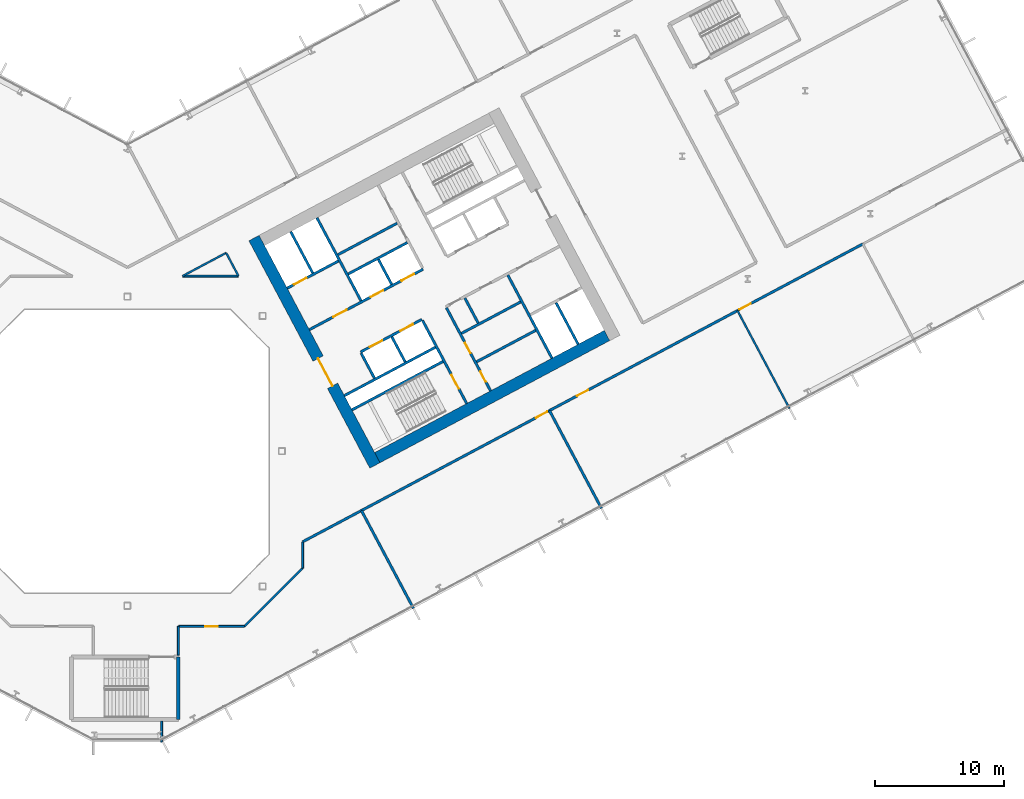
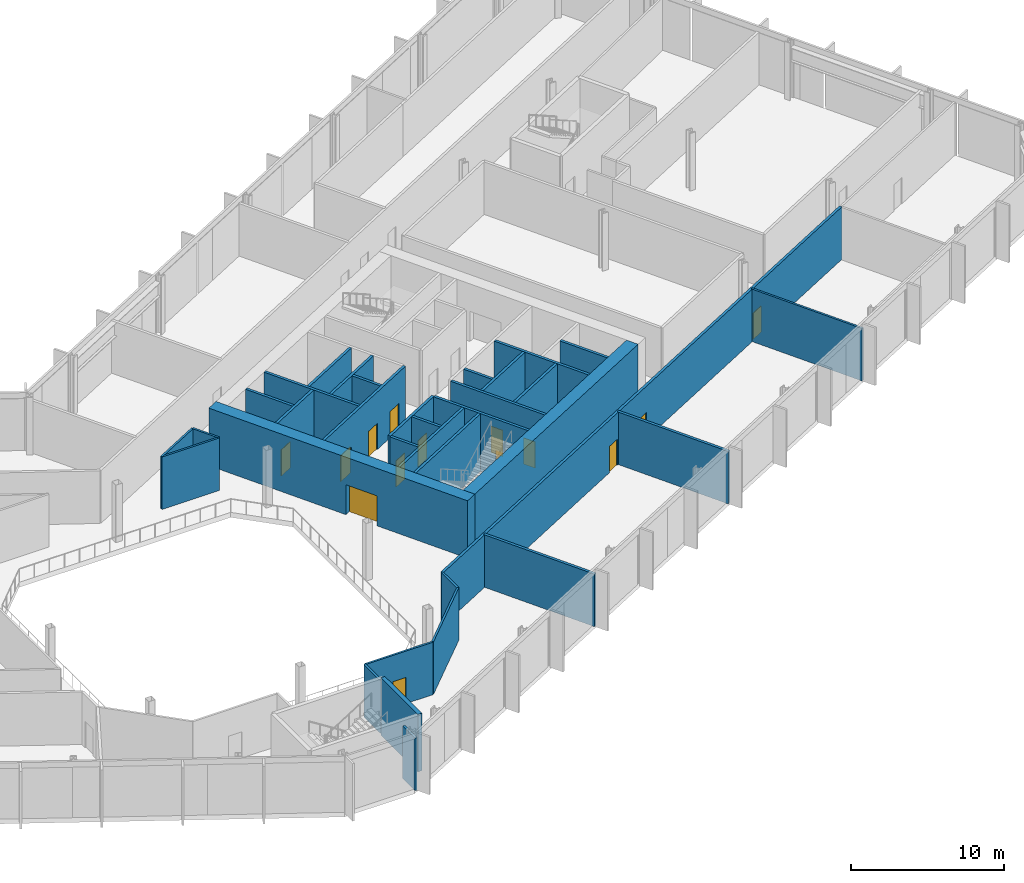
# One storey, part 17 of 31: 34 walls, 14 doors, 14 openings.
"""IFC4 building model written with IfcOpenShell, lengths in metres."""

from ifc_helpers import new_model, si_unit, direction, frame, frame_2d, origin, place, context, subcontext, project, spatial, rectangle, extrude, material, layer, layer_set, type_object, element, fill, save


model = new_model("IFC4")

# Units and contexts
model_context = context("Model", 3, precision=1e-05, world=origin(), true_north=direction((0.0, 1.0)))
body_context = subcontext(model_context, "Body", "Model", "MODEL_VIEW")
ifc_project = project(units=[si_unit("LENGTHUNIT", "METRE"), si_unit("AREAUNIT", "SQUARE_METRE"), si_unit("VOLUMEUNIT", "CUBIC_METRE"), si_unit("PLANEANGLEUNIT", "RADIAN"), si_unit("MASSUNIT", "GRAM", prefix="KILO")], contexts=[model_context])

# Site, building, storey
site_placement = place(None, origin())
site = spatial("IfcSite", under=ifc_project, at=site_placement, CompositionType="ELEMENT")
building_placement = place(site_placement, origin())
building = spatial("IfcBuilding", under=site, at=building_placement, Name="Cormorant Relay Tower", CompositionType="ELEMENT")
storey_placement = place(building_placement, frame((0.0, 0.0, 103.0)))
storey = spatial("IfcBuildingStorey", under=building, at=storey_placement, Name="L20", CompositionType="ELEMENT", Elevation=103.0)

# Walls
ifc_material_1 = material(Name="Concrete 40 MPa", Category="concrete")
ifc_layer_1 = layer(ifc_material_1, 0.199951171875)
ifc_layer_set_1 = layer_set([ifc_layer_1], Name="Core internal wall 200")
wall_type_1 = type_object("IfcWallType", Name="Core internal wall 200", PredefinedType="SOLIDWALL", material=ifc_layer_set_1)
for number, where, z_axis, x_axis, name in (
    (1, (21.567626953125, 6.9375, 0.0), (0.0, 0.0, 1.0), (-0.469533832133, 0.882914480843, 0.0), "L20 core B shaft and room wall"),
    (2, (20.522216796875, 12.950439453125, 0.0), (0.0, 0.0, 1.0), (-0.469401318492, 0.882984938828, 0.0), "L20 core B shaft and room wall"),
    (3, (27.236083984375, 9.951416015625, 0.0), (0.0, 0.0, 1.0), (-0.4694473164, 0.882960484464, 0.0), "L20 core B shaft and room wall"),
):
    element("IfcWall", number, at=place(storey_placement, frame(where, z_axis=z_axis, x_axis=x_axis)), inside=storey, type_object=wall_type_1, Name=name, PredefinedType="SOLIDWALL", context=body_context, shape_type="SweptSolid", body=[
        extrude(rectangle(XDim=2.199951171875, YDim=0.199951171875, at=frame_2d((1.10009765625, 0.0))), origin(), (0.0, 0.0, 1.0), 4.60009765625),
    ])
for number, where, z_axis, x_axis, name in (
    (4, (27.11474609375, 6.942138671875, 0.0), (0.0, 0.0, 1.0), (0.882934506056, 0.469496174655, 0.0), "L20 core B shaft and room wall"),
    (5, (16.3486328125, 15.26171875, 0.0), (0.0, 0.0, 1.0), (0.882953967957, 0.469459572775, 0.0), "L20 core B shaft and room wall"),
):
    element("IfcWall", number, at=place(storey_placement, frame(where, z_axis=z_axis, x_axis=x_axis)), inside=storey, type_object=wall_type_1, Name=name, PredefinedType="SOLIDWALL", context=body_context, shape_type="SweptSolid", body=[
        extrude(rectangle(XDim=5.199951171875, YDim=0.199951171875, at=frame_2d((2.60009765625, 0.0))), origin(), (0.0, 0.0, 1.0), 4.60009765625),
    ])
ifc_material_2 = material(Name="Concrete 50 MPa", Category="concrete")
ifc_layer_2 = layer(ifc_material_2, 0.199951171875)
ifc_layer_set_2 = layer_set([ifc_layer_2], Name="Core shaft wall 200")
wall_type_2 = type_object("IfcWallType", Name="Core shaft wall 200", PredefinedType="SHEAR", material=ifc_layer_set_2)
wall_1_placement = place(storey_placement, frame((14.39404296875, 13.825927734375, 0.0), z_axis=(0.0, 0.0, 1.0), x_axis=(-0.469494272526, 0.882935517501, 0.0)))
element("IfcWall", 6, at=wall_1_placement, inside=storey, type_object=wall_type_2, Name="L20 core B shaft wall", PredefinedType="SHEAR", context=body_context, shape_type="SweptSolid", body=[
    extrude(rectangle(XDim=3.64990234375, YDim=0.199951171875, at=frame_2d((1.824951171875, 0.0))), origin(), (0.0, 0.0, 1.0), 4.60009765625),
])
wall_2_placement = place(storey_placement, frame((19.18359375, 5.669921875, 0.0), z_axis=(0.0, 0.0, 1.0), x_axis=(-0.4694473164, 0.882960484464, 0.0)))
element("IfcWall", 7, at=wall_2_placement, inside=storey, type_object=wall_type_2, Name="L20 core B shaft wall", PredefinedType="SHEAR", context=body_context, shape_type="SweptSolid", body=[
    extrude(rectangle(XDim=2.199951171875, YDim=0.199951171875, at=frame_2d((1.10009765625, 0.0))), origin(), (0.0, 0.0, 1.0), 4.60009765625),
])
wall_3_placement = place(storey_placement, frame((18.138427734375, 11.682861328125, 0.0), z_axis=(0.0, 0.0, 1.0), x_axis=(-0.469480409012, 0.88294288918, 0.0)))
element("IfcWall", 8, at=wall_3_placement, inside=storey, type_object=wall_type_2, Name="L20 core B shaft wall", PredefinedType="SHEAR", context=body_context, shape_type="SweptSolid", body=[
    extrude(rectangle(XDim=7.300048828125, YDim=0.199951171875, at=frame_2d((3.64990234375, 0.0))), origin(), (0.0, 0.0, 1.0), 4.60009765625),
])

# Wall, opening, door
wall_4_placement = place(storey_placement, frame((26.345947265625, 3.701904296875, 0.0), z_axis=(0.0, 0.0, 1.0), x_axis=(-0.469480409012, 0.88294288918, 0.0)))
wall_4 = element("IfcWall", 9, at=wall_4_placement, inside=storey, type_object=wall_type_2, Name="L20 core B shaft wall", PredefinedType="SHEAR", context=body_context, shape_type="SweptSolid", body=[
    extrude(rectangle(XDim=7.300048828125, YDim=0.199951171875, at=frame_2d((3.64990234375, 0.0))), origin(), (0.0, 0.0, 1.0), 4.60009765625),
])
opening_1_placement = place(wall_4_placement, frame((1.300048828125, 0.0, 0.0)))
opening_1 = element("IfcOpeningElement", 10, at=opening_1_placement, cuts=wall_4, Name="Opening CDB-026", PredefinedType="OPENING", context=body_context, shape_type="SweptSolid", body=[
    extrude(rectangle(XDim=1.199951171875, YDim=2.10009765625, at=frame_2d((0.60009765625, 1.050048828125))), frame((0.0, 0.10986328125, 0.0), z_axis=(0.0, -1.0, 0.0), x_axis=(1.0, 0.0, 0.0)), (0.0, 0.0, 1.0), 0.219970703125),
])
ifc_material_3 = material(Name="Steel fire door", Category="steel")
door_type_1 = type_object("IfcDoorType", Name="Core stair door 1200x2100", OperationType="SINGLE_SWING_LEFT", PredefinedType="DOOR", material=ifc_material_3)
door_1_placement = place(opening_1_placement, origin())
door_1 = element("IfcDoor", 11, at=door_1_placement, inside=storey, type_object=door_type_1, Name="Core stair door 1200x2100", OperationType="SINGLE_SWING_RIGHT", OverallHeight=2.10009765625, OverallWidth=1.199951171875, PredefinedType="DOOR", context=body_context, shape_type="SweptSolid", body=[
    extrude(rectangle(XDim=1.199951171875, YDim=2.10009765625, at=frame_2d((0.60009765625, 1.050048828125))), frame((0.0, 0.02490234375, 0.0), z_axis=(0.0, -1.0, 0.0), x_axis=(1.0, 0.0, 0.0)), (0.0, 0.0, 1.0), 0.050048828125),
])
fill(opening_1, door_1)

# Wall, openings, doors
wall_5_placement = place(storey_placement, frame((28.199951171875, 4.687744140625, 0.0), z_axis=(0.0, 0.0, 1.0), x_axis=(-0.469454336211, 0.882956752176, 0.0)))
wall_5 = element("IfcWall", 12, at=wall_5_placement, inside=storey, type_object=wall_type_2, Name="L20 core B shaft wall", PredefinedType="SHEAR", context=body_context, shape_type="SweptSolid", body=[
    extrude(rectangle(XDim=7.300048828125, YDim=0.199951171875, at=frame_2d((3.64990234375, 0.0))), origin(), (0.0, 0.0, 1.0), 4.60009765625),
])
opening_2_placement = place(wall_5_placement, frame((0.800048828125, 0.0, 0.0)))
opening_2 = element("IfcOpeningElement", 13, at=opening_2_placement, cuts=wall_5, Name="Opening CDD-124", PredefinedType="OPENING", context=body_context, shape_type="SweptSolid", body=[
    extrude(rectangle(XDim=0.89990234375, YDim=2.10009765625, at=frame_2d((0.449951171875, 1.050048828125))), frame((0.0, 0.10986328125, 0.0), z_axis=(0.0, -1.0, 0.0), x_axis=(1.0, 0.0, 0.0)), (0.0, 0.0, 1.0), 0.219970703125),
])
opening_3_placement = place(wall_5_placement, frame((3.300048828125, 0.0, 0.0)))
opening_3 = element("IfcOpeningElement", 14, at=opening_3_placement, cuts=wall_5, Name="Opening CDD-125", PredefinedType="OPENING", context=body_context, shape_type="SweptSolid", body=[
    extrude(rectangle(XDim=0.89990234375, YDim=2.10009765625, at=frame_2d((0.449951171875, 1.050048828125))), frame((0.0, 0.10986328125, 0.0), z_axis=(0.0, -1.0, 0.0), x_axis=(1.0, 0.0, 0.0)), (0.0, 0.0, 1.0), 0.219970703125),
])
ifc_material_4 = material(Name="Steel fire door", Category="steel")
door_type_2 = type_object("IfcDoorType", Name="Core room door 900x2100", OperationType="SINGLE_SWING_LEFT", PredefinedType="DOOR", material=ifc_material_4)
door_2_placement = place(opening_2_placement, frame((0.89990234375, 0.0, 0.0), z_axis=(0.0, 0.0, 1.0), x_axis=(-1.0, 0.0, 0.0)))
door_2 = element("IfcDoor", 15, at=door_2_placement, inside=storey, type_object=door_type_2, Name="Core room door 900x2100", OperationType="SINGLE_SWING_LEFT", OverallHeight=2.10009765625, OverallWidth=0.89990234375, PredefinedType="DOOR", context=body_context, shape_type="SweptSolid", body=[
    extrude(rectangle(XDim=0.89990234375, YDim=2.10009765625, at=frame_2d((0.449951171875, 1.050048828125))), frame((0.0, 0.02490234375, 0.0), z_axis=(0.0, -1.0, 0.0), x_axis=(1.0, 0.0, 0.0)), (0.0, 0.0, 1.0), 0.050048828125),
])
fill(opening_2, door_2)
door_3_placement = place(opening_3_placement, frame((0.89990234375, 0.0, 0.0), z_axis=(0.0, 0.0, 1.0), x_axis=(-1.0, 0.0, 0.0)))
door_3 = element("IfcDoor", 16, at=door_3_placement, inside=storey, type_object=door_type_2, Name="Core room door 900x2100", OperationType="SINGLE_SWING_LEFT", OverallHeight=2.10009765625, OverallWidth=0.89990234375, PredefinedType="DOOR", context=body_context, shape_type="SweptSolid", body=[
    extrude(rectangle(XDim=0.89990234375, YDim=2.10009765625, at=frame_2d((0.449951171875, 1.050048828125))), frame((0.0, 0.02490234375, 0.0), z_axis=(0.0, -1.0, 0.0), x_axis=(1.0, 0.0, 0.0)), (0.0, 0.0, 1.0), 0.050048828125),
])
fill(opening_3, door_3)

# Walls
wall_6_placement = place(storey_placement, frame((32.968017578125, 7.222900390625, 0.0), z_axis=(0.0, 0.0, 1.0), x_axis=(-0.469480409012, 0.88294288918, 0.0)))
element("IfcWall", 17, at=wall_6_placement, inside=storey, type_object=wall_type_2, Name="L20 core B shaft wall", PredefinedType="SHEAR", context=body_context, shape_type="SweptSolid", body=[
    extrude(rectangle(XDim=7.300048828125, YDim=0.199951171875, at=frame_2d((3.64990234375, 0.0))), origin(), (0.0, 0.0, 1.0), 4.60009765625),
])
wall_7_placement = place(storey_placement, frame((34.998779296875, 8.302734375, 0.0), z_axis=(0.0, 0.0, 1.0), x_axis=(-0.4694665462, 0.882950260207, 0.0)))
element("IfcWall", 18, at=wall_7_placement, inside=storey, type_object=wall_type_2, Name="L20 core B shaft wall", PredefinedType="SHEAR", context=body_context, shape_type="SweptSolid", body=[
    extrude(rectangle(XDim=3.650146484375, YDim=0.199951171875, at=frame_2d((1.8251953125, 0.0))), origin(), (0.0, 0.0, 1.0), 4.60009765625),
])
for number, where, z_axis, x_axis, name in (
    (19, (17.43359375, 3.210205078125, 0.0), (0.0, 0.0, 1.0), (0.882940221191, 0.469485426614, 0.0), "L20 core B shaft wall"),
    (20, (16.8466796875, 4.31396484375, 0.0), (0.0, 0.0, 1.0), (0.882940221191, 0.469485426614, 0.0), "L20 core B shaft wall"),
):
    element("IfcWall", number, at=place(storey_placement, frame(where, z_axis=z_axis, x_axis=x_axis)), inside=storey, type_object=wall_type_2, Name=name, PredefinedType="SHEAR", context=body_context, shape_type="SweptSolid", body=[
        extrude(rectangle(XDim=8.0, YDim=0.199951171875, at=frame_2d((4.0, 0.0))), origin(), (0.0, 0.0, 1.0), 4.60009765625),
    ])
wall_8_placement = place(storey_placement, frame((25.94091796875, 9.149658203125, 0.0), z_axis=(0.0, 0.0, 1.0), x_axis=(0.882953967957, 0.469459572775, 0.0)))
element("IfcWall", 21, at=wall_8_placement, inside=storey, type_object=wall_type_2, Name="L20 core B shaft wall", PredefinedType="SHEAR", context=body_context, shape_type="SweptSolid", body=[
    extrude(rectangle(XDim=5.199951171875, YDim=0.199951171875, at=frame_2d((2.60009765625, 0.0))), origin(), (0.0, 0.0, 1.0), 4.60009765625),
])

# Wall, openings, doors
wall_9_placement = place(storey_placement, frame((18.103759765625, 7.70068359375, 0.0), z_axis=(0.0, 0.0, 1.0), x_axis=(0.882952937579, 0.469461510692, 0.0)))
wall_9 = element("IfcWall", 22, at=wall_9_placement, inside=storey, type_object=wall_type_2, Name="L20 core B shaft wall", PredefinedType="SHEAR", context=body_context, shape_type="SweptSolid", body=[
    extrude(rectangle(XDim=5.400146484375, YDim=0.199951171875, at=frame_2d((2.7001953125, 0.0))), origin(), (0.0, 0.0, 1.0), 4.60009765625),
])
opening_4_placement = place(wall_9_placement, frame((0.800048828125, 0.0, 0.0)))
opening_4 = element("IfcOpeningElement", 23, at=opening_4_placement, cuts=wall_9, Name="Opening LD1-032", PredefinedType="OPENING", context=body_context, shape_type="SweptSolid", body=[
    extrude(rectangle(XDim=1.10009765625, YDim=2.10009765625, at=frame_2d((0.550048828125, 1.050048828125))), frame((0.0, 0.10986328125, 0.0), z_axis=(0.0, -1.0, 0.0), x_axis=(1.0, 0.0, 0.0)), (0.0, 0.0, 1.0), 0.219970703125),
])
opening_5_placement = place(wall_9_placement, frame((3.5, 0.0, 0.0)))
opening_5 = element("IfcOpeningElement", 24, at=opening_5_placement, cuts=wall_9, Name="Opening LD1-033", PredefinedType="OPENING", context=body_context, shape_type="SweptSolid", body=[
    extrude(rectangle(XDim=1.10009765625, YDim=2.10009765625, at=frame_2d((0.550048828125, 1.050048828125))), frame((0.0, 0.10986328125, 0.0), z_axis=(0.0, -1.0, 0.0), x_axis=(1.0, 0.0, 0.0)), (0.0, 0.0, 1.0), 0.219970703125),
])
ifc_material_5 = material(Name="Stainless steel 316", Category="steel")
door_type_3 = type_object("IfcDoorType", Name="Lift landing door 1100x2100", OperationType="DOUBLE_DOOR_SLIDING", PredefinedType="DOOR", material=ifc_material_5)
door_4_placement = place(opening_4_placement, origin())
door_4 = element("IfcDoor", 25, at=door_4_placement, inside=storey, type_object=door_type_3, Name="LR5 landing door", OperationType="DOUBLE_DOOR_SLIDING", OverallHeight=2.10009765625, OverallWidth=1.10009765625, PredefinedType="DOOR", context=body_context, shape_type="SweptSolid", body=[
    extrude(rectangle(XDim=1.10009765625, YDim=2.10009765625, at=frame_2d((0.550048828125, 1.050048828125))), frame((0.0, 0.02490234375, 0.0), z_axis=(0.0, -1.0, 0.0), x_axis=(1.0, 0.0, 0.0)), (0.0, 0.0, 1.0), 0.050048828125),
])
fill(opening_4, door_4)
door_5_placement = place(opening_5_placement, origin())
door_5 = element("IfcDoor", 26, at=door_5_placement, inside=storey, type_object=door_type_3, Name="LR6 landing door", OperationType="DOUBLE_DOOR_SLIDING", OverallHeight=2.10009765625, OverallWidth=1.10009765625, PredefinedType="DOOR", context=body_context, shape_type="SweptSolid", body=[
    extrude(rectangle(XDim=1.10009765625, YDim=2.10009765625, at=frame_2d((0.550048828125, 1.050048828125))), frame((0.0, 0.02490234375, 0.0), z_axis=(0.0, -1.0, 0.0), x_axis=(1.0, 0.0, 0.0)), (0.0, 0.0, 1.0), 0.050048828125),
])
fill(opening_5, door_5)

wall_10_placement = place(storey_placement, frame((14.123779296875, 9.43505859375, 0.0), z_axis=(0.0, 0.0, 1.0), x_axis=(0.882940221191, 0.469485426614, 0.0)))
wall_10 = element("IfcWall", 27, at=wall_10_placement, inside=storey, type_object=wall_type_2, Name="L20 core B shaft wall", PredefinedType="SHEAR", context=body_context, shape_type="SweptSolid", body=[
    extrude(rectangle(XDim=10.0, YDim=0.199951171875, at=frame_2d((5.0, 0.0))), origin(), (0.0, 0.0, 1.0), 4.60009765625),
])
opening_6_placement = place(wall_10_placement, frame((2.10009765625, 0.0, 0.0)))
opening_6 = element("IfcOpeningElement", 28, at=opening_6_placement, cuts=wall_10, Name="Opening CDC-019", PredefinedType="OPENING", context=body_context, shape_type="SweptSolid", body=[
    extrude(rectangle(XDim=1.199951171875, YDim=2.10009765625, at=frame_2d((0.60009765625, 1.050048828125))), frame((0.0, 0.10986328125, 0.0), z_axis=(0.0, -1.0, 0.0), x_axis=(1.0, 0.0, 0.0)), (0.0, 0.0, 1.0), 0.219970703125),
])
opening_7_placement = place(wall_10_placement, frame((5.39990234375, 0.0, 0.0)))
opening_7 = element("IfcOpeningElement", 29, at=opening_7_placement, cuts=wall_10, Name="Opening LD1-028", PredefinedType="OPENING", context=body_context, shape_type="SweptSolid", body=[
    extrude(rectangle(XDim=1.10009765625, YDim=2.10009765625, at=frame_2d((0.550048828125, 1.050048828125))), frame((0.0, 0.10986328125, 0.0), z_axis=(0.0, -1.0, 0.0), x_axis=(1.0, 0.0, 0.0)), (0.0, 0.0, 1.0), 0.219970703125),
])
opening_8_placement = place(wall_10_placement, frame((8.10009765625, 0.0, 0.0)))
opening_8 = element("IfcOpeningElement", 30, at=opening_8_placement, cuts=wall_10, Name="Opening LD1-029", PredefinedType="OPENING", context=body_context, shape_type="SweptSolid", body=[
    extrude(rectangle(XDim=1.10009765625, YDim=2.10009765625, at=frame_2d((0.550048828125, 1.050048828125))), frame((0.0, 0.10986328125, 0.0), z_axis=(0.0, -1.0, 0.0), x_axis=(1.0, 0.0, 0.0)), (0.0, 0.0, 1.0), 0.219970703125),
])
ifc_material_6 = material(Name="Steel fire door", Category="steel")
door_type_4 = type_object("IfcDoorType", Name="Core lobby door 1200x2100", OperationType="SINGLE_SWING_LEFT", PredefinedType="DOOR", material=ifc_material_6)
door_6_placement = place(opening_6_placement, origin())
door_6 = element("IfcDoor", 31, at=door_6_placement, inside=storey, type_object=door_type_4, Name="Core lobby door 1200x2100", OperationType="SINGLE_SWING_RIGHT", OverallHeight=2.10009765625, OverallWidth=1.199951171875, PredefinedType="DOOR", context=body_context, shape_type="SweptSolid", body=[
    extrude(rectangle(XDim=1.199951171875, YDim=2.10009765625, at=frame_2d((0.60009765625, 1.050048828125))), frame((0.0, 0.02490234375, 0.0), z_axis=(0.0, -1.0, 0.0), x_axis=(1.0, 0.0, 0.0)), (0.0, 0.0, 1.0), 0.050048828125),
])
fill(opening_6, door_6)
door_7_placement = place(opening_7_placement, origin())
door_7 = element("IfcDoor", 32, at=door_7_placement, inside=storey, type_object=door_type_3, Name="LR1 landing door", OperationType="DOUBLE_DOOR_SLIDING", OverallHeight=2.10009765625, OverallWidth=1.10009765625, PredefinedType="DOOR", context=body_context, shape_type="SweptSolid", body=[
    extrude(rectangle(XDim=1.10009765625, YDim=2.10009765625, at=frame_2d((0.550048828125, 1.050048828125))), frame((0.0, 0.02490234375, 0.0), z_axis=(0.0, -1.0, 0.0), x_axis=(1.0, 0.0, 0.0)), (0.0, 0.0, 1.0), 0.050048828125),
])
fill(opening_7, door_7)
door_8_placement = place(opening_8_placement, origin())
door_8 = element("IfcDoor", 33, at=door_8_placement, inside=storey, type_object=door_type_3, Name="LR2 landing door", OperationType="DOUBLE_DOOR_SLIDING", OverallHeight=2.10009765625, OverallWidth=1.10009765625, PredefinedType="DOOR", context=body_context, shape_type="SweptSolid", body=[
    extrude(rectangle(XDim=1.10009765625, YDim=2.10009765625, at=frame_2d((0.550048828125, 1.050048828125))), frame((0.0, 0.02490234375, 0.0), z_axis=(0.0, -1.0, 0.0), x_axis=(1.0, 0.0, 0.0)), (0.0, 0.0, 1.0), 0.050048828125),
])
fill(opening_8, door_8)

# Wall
wall_11_placement = place(storey_placement, frame((17.146728515625, 13.7607421875, 0.0), z_axis=(0.0, 0.0, 1.0), x_axis=(0.882964314875, 0.469440111896, 0.0)))
element("IfcWall", 34, at=wall_11_placement, inside=storey, type_object=wall_type_2, Name="L20 core B shaft wall", PredefinedType="SHEAR", context=body_context, shape_type="SweptSolid", body=[
    extrude(rectangle(XDim=5.2001953125, YDim=0.199951171875, at=frame_2d((2.60009765625, 0.0))), origin(), (0.0, 0.0, 1.0), 4.60009765625),
])

# Wall, opening, door
wall_12_placement = place(storey_placement, frame((12.41015625, 12.657958984375, 0.0), z_axis=(0.0, 0.0, 1.0), x_axis=(0.8829484765, 0.469469900894, 0.0)))
wall_12 = element("IfcWall", 35, at=wall_12_placement, inside=storey, type_object=wall_type_2, Name="L20 core B shaft wall", PredefinedType="SHEAR", context=body_context, shape_type="SweptSolid", body=[
    extrude(rectangle(XDim=4.499755859375, YDim=0.199951171875, at=frame_2d((2.25, 0.0))), origin(), (0.0, 0.0, 1.0), 4.60009765625),
])
opening_9_placement = place(wall_12_placement, frame((0.60009765625, 0.0, 0.0)))
opening_9 = element("IfcOpeningElement", 36, at=opening_9_placement, cuts=wall_12, Name="Opening LD1-034", PredefinedType="OPENING", context=body_context, shape_type="SweptSolid", body=[
    extrude(rectangle(XDim=1.10009765625, YDim=2.10009765625, at=frame_2d((0.550048828125, 1.050048828125))), frame((0.0, 0.10986328125, 0.0), z_axis=(0.0, -1.0, 0.0), x_axis=(1.0, 0.0, 0.0)), (0.0, 0.0, 1.0), 0.219970703125),
])
door_9_placement = place(opening_9_placement, origin())
door_9 = element("IfcDoor", 37, at=door_9_placement, inside=storey, type_object=door_type_3, Name="FF2 landing door", OperationType="DOUBLE_DOOR_SLIDING", OverallHeight=2.10009765625, OverallWidth=1.10009765625, PredefinedType="DOOR", context=body_context, shape_type="SweptSolid", body=[
    extrude(rectangle(XDim=1.10009765625, YDim=2.10009765625, at=frame_2d((0.550048828125, 1.050048828125))), frame((0.0, 0.02490234375, 0.0), z_axis=(0.0, -1.0, 0.0), x_axis=(1.0, 0.0, 0.0)), (0.0, 0.0, 1.0), 0.050048828125),
])
fill(opening_9, door_9)

ifc_material_7 = material(Name="Concrete 70 MPa", Category="concrete")
ifc_layer_3 = layer(ifc_material_7, 0.89990234375)
ifc_layer_set_3 = layer_set([ifc_layer_3], Name="Core wall 900")
wall_type_3 = type_object("IfcWallType", Name="Core wall 900", PredefinedType="SHEAR", material=ifc_layer_set_3)
wall_13_placement = place(storey_placement, frame((19.21923828125, -1.106689453125, 0.0), z_axis=(0.0, 0.0, 1.0), x_axis=(-0.46947084998, 0.882947971864, 0.0)))
wall_13 = element("IfcWall", 38, at=wall_13_placement, inside=storey, type_object=wall_type_3, Name="L20 core B wall", PredefinedType="SHEAR", context=body_context, shape_type="SweptSolid", body=[
    extrude(rectangle(XDim=20.0, YDim=0.89990234375, at=frame_2d((10.0, 0.0))), origin(), (0.0, 0.0, 1.0), 4.60009765625),
])
opening_10_placement = place(wall_13_placement, frame((7.0, 0.0, 0.0)))
opening_10 = element("IfcOpeningElement", 39, at=opening_10_placement, cuts=wall_13, Name="Opening CDA-019", PredefinedType="OPENING", context=body_context, shape_type="SweptSolid", body=[
    extrude(rectangle(XDim=2.39990234375, YDim=2.39990234375, at=frame_2d((1.199951171875, 1.199951171875))), frame((0.0, 0.4599609375, 0.0), z_axis=(0.0, -1.0, 0.0), x_axis=(1.0, 0.0, 0.0)), (0.0, 0.0, 1.0), 0.919921875),
])
ifc_material_8 = material(Name="Steel fire door", Category="steel")
door_type_5 = type_object("IfcDoorType", Name="Core lobby door 2400x2400", OperationType="DOUBLE_DOOR_SINGLE_SWING", PredefinedType="DOOR", material=ifc_material_8)
door_10_placement = place(opening_10_placement, frame((2.39990234375, 0.0, 0.0), z_axis=(0.0, 0.0, 1.0), x_axis=(-1.0, 0.0, 0.0)))
door_10 = element("IfcDoor", 40, at=door_10_placement, inside=storey, type_object=door_type_5, Name="Core lobby door 2400x2400", OperationType="DOUBLE_DOOR_SINGLE_SWING", OverallHeight=2.39990234375, OverallWidth=2.39990234375, PredefinedType="DOOR", context=body_context, shape_type="SweptSolid", body=[
    extrude(rectangle(XDim=2.39990234375, YDim=2.39990234375, at=frame_2d((1.199951171875, 1.199951171875))), frame((0.0, 0.02490234375, 0.0), z_axis=(0.0, -1.0, 0.0), x_axis=(1.0, 0.0, 0.0)), (0.0, 0.0, 1.0), 0.050048828125),
])
fill(opening_10, door_10)

# Walls
wall_14_placement = place(storey_placement, frame((19.4052734375, -0.498046875, 0.0), z_axis=(0.0, 0.0, 1.0), x_axis=(0.88294509198, 0.469476266226, 0.0)))
element("IfcWall", 41, at=wall_14_placement, inside=storey, type_object=wall_type_3, Name="L20 core B wall", PredefinedType="SHEAR", context=body_context, shape_type="SweptSolid", body=[
    extrude(rectangle(XDim=20.199951171875, YDim=0.89990234375, at=frame_2d((10.10009765625, 0.0))), origin(), (0.0, 0.0, 1.0), 4.60009765625),
])
ifc_material_9 = material(Name="Fire-rated gypsum board partition")
ifc_layer_4 = layer(ifc_material_9, 0.199951171875)
ifc_layer_set_4 = layer_set([ifc_layer_4], Name="Fire-rated gypsum partition 200")
wall_type_4 = type_object("IfcWallType", Name="Fire-rated gypsum partition 200", PredefinedType="PARTITIONING", material=ifc_layer_set_4)
wall_15_placement = place(storey_placement, frame((18.172119140625, -4.60791015625, 0.0), z_axis=(0.0, 0.0, 1.0), x_axis=(0.469386979633, -0.882992561323, 0.0)))
element("IfcWall", 42, at=wall_15_placement, inside=storey, type_object=wall_type_4, Name="wall/L20/part/33", PredefinedType="PARTITIONING", context=body_context, shape_type="SweptSolid", body=[
    extrude(rectangle(XDim=8.600341796875, YDim=0.199951171875, at=frame_2d((4.30029296875, 0.0))), origin(), (0.0, 0.0, 1.0), 4.199951171875),
])

# Wall, openings, doors
wall_16_placement = place(storey_placement, frame((57.10498046875, 16.093017578125, 0.0), z_axis=(0.0, 0.0, 1.0), x_axis=(-0.882946553343, -0.469473517827, 0.0)))
wall_16 = element("IfcWall", 43, at=wall_16_placement, inside=storey, type_object=wall_type_4, Name="wall/L20/part/34", PredefinedType="PARTITIONING", context=body_context, shape_type="SweptSolid", body=[
    extrude(rectangle(XDim=49.2724609375, YDim=0.199951171875, at=frame_2d((24.63623046875, 0.0))), origin(), (0.0, 0.0, 1.0), 4.199951171875),
])
opening_11_placement = place(wall_16_placement, frame((27.75, 0.0, 0.0)))
opening_11 = element("IfcOpeningElement", 44, at=opening_11_placement, cuts=wall_16, Name="Opening FD1-103", PredefinedType="OPENING", context=body_context, shape_type="SweptSolid", body=[
    extrude(rectangle(XDim=1.0, YDim=2.10009765625, at=frame_2d((0.5, 1.050048828125))), frame((0.0, 0.10986328125, 0.0), z_axis=(0.0, -1.0, 0.0), x_axis=(1.0, 0.0, 0.0)), (0.0, 0.0, 1.0), 0.219970703125),
])
opening_12_placement = place(wall_16_placement, frame((24.14990234375, 0.0, 0.0)))
opening_12 = element("IfcOpeningElement", 45, at=opening_12_placement, cuts=wall_16, Name="Opening FD1-104", PredefinedType="OPENING", context=body_context, shape_type="SweptSolid", body=[
    extrude(rectangle(XDim=1.0, YDim=2.10009765625, at=frame_2d((0.5, 1.050048828125))), frame((0.0, 0.10986328125, 0.0), z_axis=(0.0, -1.0, 0.0), x_axis=(1.0, 0.0, 0.0)), (0.0, 0.0, 1.0), 0.219970703125),
])
opening_13_placement = place(wall_16_placement, frame((9.85009765625, 0.0, 0.0)))
opening_13 = element("IfcOpeningElement", 46, at=opening_13_placement, cuts=wall_16, Name="Opening FD1-105", PredefinedType="OPENING", context=body_context, shape_type="SweptSolid", body=[
    extrude(rectangle(XDim=1.0, YDim=2.10009765625, at=frame_2d((0.5, 1.050048828125))), frame((0.0, 0.10986328125, 0.0), z_axis=(0.0, -1.0, 0.0), x_axis=(1.0, 0.0, 0.0)), (0.0, 0.0, 1.0), 0.219970703125),
])
ifc_material_10 = material(Name="Fire-rated steel door", Category="steel")
door_type_6 = type_object("IfcDoorType", Name="Fire door 1000 x 2100", OperationType="SINGLE_SWING_LEFT", PredefinedType="DOOR", material=ifc_material_10)
door_11_placement = place(opening_11_placement, origin())
door_11 = element("IfcDoor", 47, at=door_11_placement, inside=storey, type_object=door_type_6, Name="door/L20/13", OperationType="SINGLE_SWING_LEFT", OverallHeight=2.10009765625, OverallWidth=1.0, PredefinedType="DOOR", context=body_context, shape_type="SweptSolid", body=[
    extrude(rectangle(XDim=1.0, YDim=2.10009765625, at=frame_2d((0.5, 1.050048828125))), frame((0.0, 0.02490234375, 0.0), z_axis=(0.0, -1.0, 0.0), x_axis=(1.0, 0.0, 0.0)), (0.0, 0.0, 1.0), 0.050048828125),
])
fill(opening_11, door_11)
door_12_placement = place(opening_12_placement, origin())
door_12 = element("IfcDoor", 48, at=door_12_placement, inside=storey, type_object=door_type_6, Name="door/L20/14", OperationType="SINGLE_SWING_RIGHT", OverallHeight=2.10009765625, OverallWidth=1.0, PredefinedType="DOOR", context=body_context, shape_type="SweptSolid", body=[
    extrude(rectangle(XDim=1.0, YDim=2.10009765625, at=frame_2d((0.5, 1.050048828125))), frame((0.0, 0.02490234375, 0.0), z_axis=(0.0, -1.0, 0.0), x_axis=(1.0, 0.0, 0.0)), (0.0, 0.0, 1.0), 0.050048828125),
])
fill(opening_12, door_12)
door_13_placement = place(opening_13_placement, origin())
door_13 = element("IfcDoor", 49, at=door_13_placement, inside=storey, type_object=door_type_6, Name="door/L20/15", OperationType="SINGLE_SWING_RIGHT", OverallHeight=2.10009765625, OverallWidth=1.0, PredefinedType="DOOR", context=body_context, shape_type="SweptSolid", body=[
    extrude(rectangle(XDim=1.0, YDim=2.10009765625, at=frame_2d((0.5, 1.050048828125))), frame((0.0, 0.02490234375, 0.0), z_axis=(0.0, -1.0, 0.0), x_axis=(1.0, 0.0, 0.0)), (0.0, 0.0, 1.0), 0.050048828125),
])
fill(opening_13, door_13)

# Walls
wall_17_placement = place(storey_placement, frame((36.80908203125, -4.43896484375, 0.0), z_axis=(0.0, 0.0, 1.0), x_axis=(-0.469409112223, 0.882980795579, 0.0)))
element("IfcWall", 50, at=wall_17_placement, inside=storey, type_object=wall_type_4, Name="wall/L20/part/37", PredefinedType="PARTITIONING", context=body_context, shape_type="SweptSolid", body=[
    extrude(rectangle(XDim=8.600341796875, YDim=0.199951171875, at=frame_2d((4.30029296875, 0.0))), origin(), (0.0, 0.0, 1.0), 4.199951171875),
])
ifc_material_11 = material(Name="Gypsum board partition")
ifc_layer_5 = layer(ifc_material_11, 0.14990234375)
ifc_layer_set_5 = layer_set([ifc_layer_5], Name="Gypsum board partition 150")
wall_type_5 = type_object("IfcWallType", Name="Gypsum board partition 150", PredefinedType="PARTITIONING", material=ifc_layer_set_5)
wall_18_placement = place(storey_placement, frame((2.64892578125, -22.58203125, 0.0), z_axis=(0.0, 0.0, 1.0), x_axis=(0.0, 1.0, 0.0)))
element("IfcWall", 51, at=wall_18_placement, inside=storey, type_object=wall_type_5, Name="wall/L20/part/27", PredefinedType="PARTITIONING", context=body_context, shape_type="SweptSolid", body=[
    extrude(rectangle(XDim=1.6220703125, YDim=0.14990234375, at=frame_2d((0.81103515625, 0.0))), origin(), (0.0, 0.0, 1.0), 4.199951171875),
])
wall_19_placement = place(storey_placement, frame((3.949951171875, -13.60009765625, 0.0), z_axis=(0.0, 0.0, 1.0), x_axis=(0.0, -1.0, 0.0)))
element("IfcWall", 52, at=wall_19_placement, inside=storey, type_object=wall_type_5, Name="wall/L20/part/28", PredefinedType="PARTITIONING", context=body_context, shape_type="SweptSolid", body=[
    extrude(rectangle(XDim=2.239990234375, YDim=0.14990234375, at=frame_2d((1.1201171875, 0.0))), origin(), (0.0, 0.0, 1.0), 4.199951171875),
])
wall_20_placement = place(storey_placement, frame((13.60009765625, -7.052978515625, 0.0), z_axis=(0.0, 0.0, 1.0), x_axis=(0.0, -1.0, 0.0)))
element("IfcWall", 53, at=wall_20_placement, inside=storey, type_object=wall_type_5, Name="wall/L20/part/29", PredefinedType="PARTITIONING", context=body_context, shape_type="SweptSolid", body=[
    extrude(rectangle(XDim=2.02392578125, YDim=0.14990234375, at=frame_2d((1.011962890625, 0.0))), origin(), (0.0, 0.0, 1.0), 4.199951171875),
])
wall_21_placement = place(storey_placement, frame((13.60009765625, -9.076904296875, 0.0), z_axis=(0.0, 0.0, 1.0), x_axis=(-0.707106781187, -0.707106781187, 0.0)))
element("IfcWall", 54, at=wall_21_placement, inside=storey, type_object=wall_type_5, Name="wall/L20/part/30", PredefinedType="PARTITIONING", context=body_context, shape_type="SweptSolid", body=[
    extrude(rectangle(XDim=6.396728515625, YDim=0.14990234375, at=frame_2d((3.1982421875, 0.0))), origin(), (0.0, 0.0, 1.0), 4.199951171875),
])

# Wall, opening, door
wall_22_placement = place(storey_placement, frame((9.076904296875, -13.60009765625, 0.0), z_axis=(0.0, 0.0, 1.0), x_axis=(-1.0, 0.0, 0.0)))
wall_22 = element("IfcWall", 55, at=wall_22_placement, inside=storey, type_object=wall_type_5, Name="wall/L20/part/31", PredefinedType="PARTITIONING", context=body_context, shape_type="SweptSolid", body=[
    extrude(rectangle(XDim=5.091796875, YDim=0.14990234375, at=frame_2d((2.5458984375, 0.0))), origin(), (0.0, 0.0, 1.0), 4.199951171875),
])
opening_14_placement = place(wall_22_placement, frame((2.050048828125, 0.0, 0.0)))
opening_14 = element("IfcOpeningElement", 56, at=opening_14_placement, cuts=wall_22, Name="Opening D1-043", PredefinedType="OPENING", context=body_context, shape_type="SweptSolid", body=[
    extrude(rectangle(XDim=1.0, YDim=2.10009765625, at=frame_2d((0.5, 1.050048828125))), frame((0.0, 0.0849609375, 0.0), z_axis=(0.0, -1.0, 0.0), x_axis=(1.0, 0.0, 0.0)), (0.0, 0.0, 1.0), 0.169921875),
])
ifc_material_12 = material(Name="Painted steel door", Category="steel")
door_type_7 = type_object("IfcDoorType", Name="Single door 1000 x 2100", OperationType="SINGLE_SWING_LEFT", PredefinedType="DOOR", material=ifc_material_12)
door_14_placement = place(opening_14_placement, origin())
door_14 = element("IfcDoor", 57, at=door_14_placement, inside=storey, type_object=door_type_7, Name="door/L20/12", OperationType="SINGLE_SWING_RIGHT", OverallHeight=2.10009765625, OverallWidth=1.0, PredefinedType="DOOR", context=body_context, shape_type="SweptSolid", body=[
    extrude(rectangle(XDim=1.0, YDim=2.10009765625, at=frame_2d((0.5, 1.050048828125))), frame((0.0, 0.02490234375, 0.0), z_axis=(0.0, -1.0, 0.0), x_axis=(1.0, 0.0, 0.0)), (0.0, 0.0, 1.0), 0.050048828125),
])
fill(opening_14, door_14)

# Walls
wall_23_placement = place(storey_placement, frame((47.3720703125, 10.91796875, 0.0), z_axis=(0.0, 0.0, 1.0), x_axis=(0.469298440423, -0.883039621884, 0.0)))
element("IfcWall", 58, at=wall_23_placement, inside=storey, type_object=wall_type_5, Name="wall/L20/part/38", PredefinedType="PARTITIONING", context=body_context, shape_type="SweptSolid", body=[
    extrude(rectangle(XDim=8.599853515625, YDim=0.14990234375, at=frame_2d((4.2998046875, 0.0))), origin(), (0.0, 0.0, 1.0), 4.199951171875),
])
wall_24_placement = place(storey_placement, frame((4.277099609375, 13.60009765625, 0.0), z_axis=(0.0, 0.0, 1.0), x_axis=(1.0, 0.0, 0.0)))
element("IfcWall", 59, at=wall_24_placement, inside=storey, type_object=wall_type_5, Name="wall/L20/part/62", PredefinedType="PARTITIONING", context=body_context, shape_type="SweptSolid", body=[
    extrude(rectangle(XDim=4.347900390625, YDim=0.14990234375, at=frame_2d((2.173828125, 0.0))), origin(), (0.0, 0.0, 1.0), 4.199951171875),
])
wall_25_placement = place(storey_placement, frame((8.625, 13.60009765625, 0.0), z_axis=(0.0, 0.0, 1.0), x_axis=(-0.469420518513, 0.882974731688, 0.0)))
element("IfcWall", 60, at=wall_25_placement, inside=storey, type_object=wall_type_5, Name="wall/L20/part/63", PredefinedType="PARTITIONING", context=body_context, shape_type="SweptSolid", body=[
    extrude(rectangle(XDim=2.040771484375, YDim=0.14990234375, at=frame_2d((1.0205078125, 0.0))), origin(), (0.0, 0.0, 1.0), 4.199951171875),
])
wall_26_placement = place(storey_placement, frame((7.6669921875, 15.402099609375, 0.0), z_axis=(0.0, 0.0, 1.0), x_axis=(-0.882994654303, -0.469383042378, 0.0)))
element("IfcWall", 61, at=wall_26_placement, inside=storey, type_object=wall_type_5, Name="wall/L20/part/64", PredefinedType="PARTITIONING", context=body_context, shape_type="SweptSolid", body=[
    extrude(rectangle(XDim=3.839111328125, YDim=0.14990234375, at=frame_2d((1.91943359375, 0.0))), origin(), (0.0, 0.0, 1.0), 4.199951171875),
])
ifc_material_13 = material(Name="Concrete 50 MPa", Category="concrete")
ifc_layer_6 = layer(ifc_material_13, 0.300048828125)
ifc_layer_set_6 = layer_set([ifc_layer_6], Name="Remote stair wall 300")
wall_type_6 = type_object("IfcWallType", Name="Remote stair wall 300", PredefinedType="SHEAR", material=ifc_layer_set_6)
wall_27_placement = place(storey_placement, frame((3.949951171875, -15.97509765625, 0.0), z_axis=(0.0, 0.0, 1.0), x_axis=(0.0, -1.0, 0.0)))
element("IfcWall", 62, at=wall_27_placement, inside=storey, type_object=wall_type_6, Name="L20 exit stair RK1 wall", PredefinedType="SHEAR", context=body_context, shape_type="SweptSolid", body=[
    extrude(rectangle(XDim=4.849853515625, YDim=0.300048828125, at=frame_2d((2.4248046875, 0.0))), origin(), (0.0, 0.0, 1.0), 4.60009765625),
])

save(model, "model.ifc")
